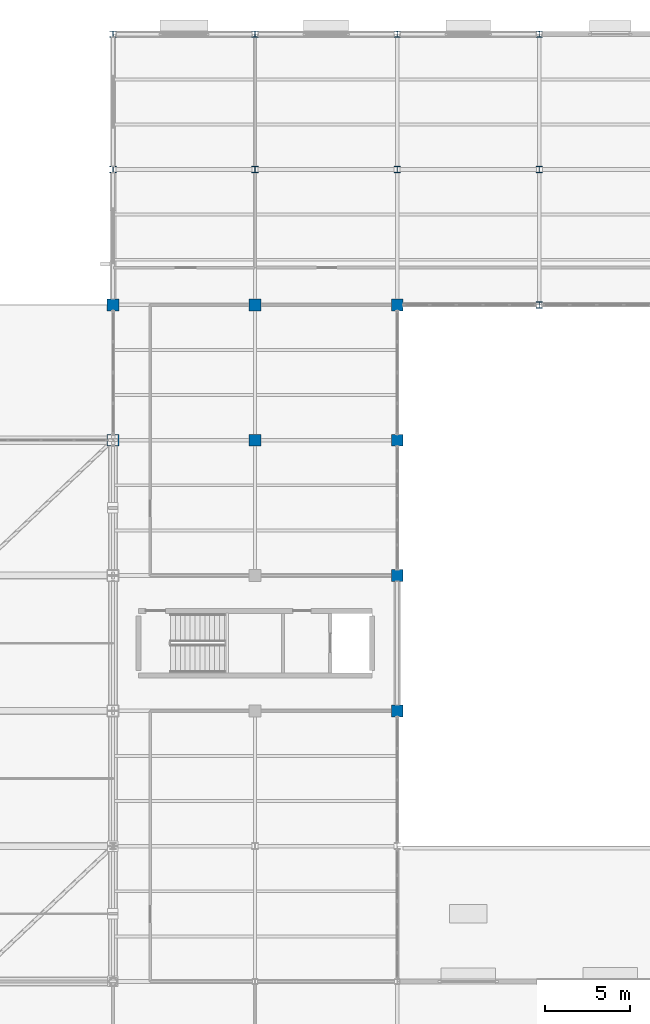
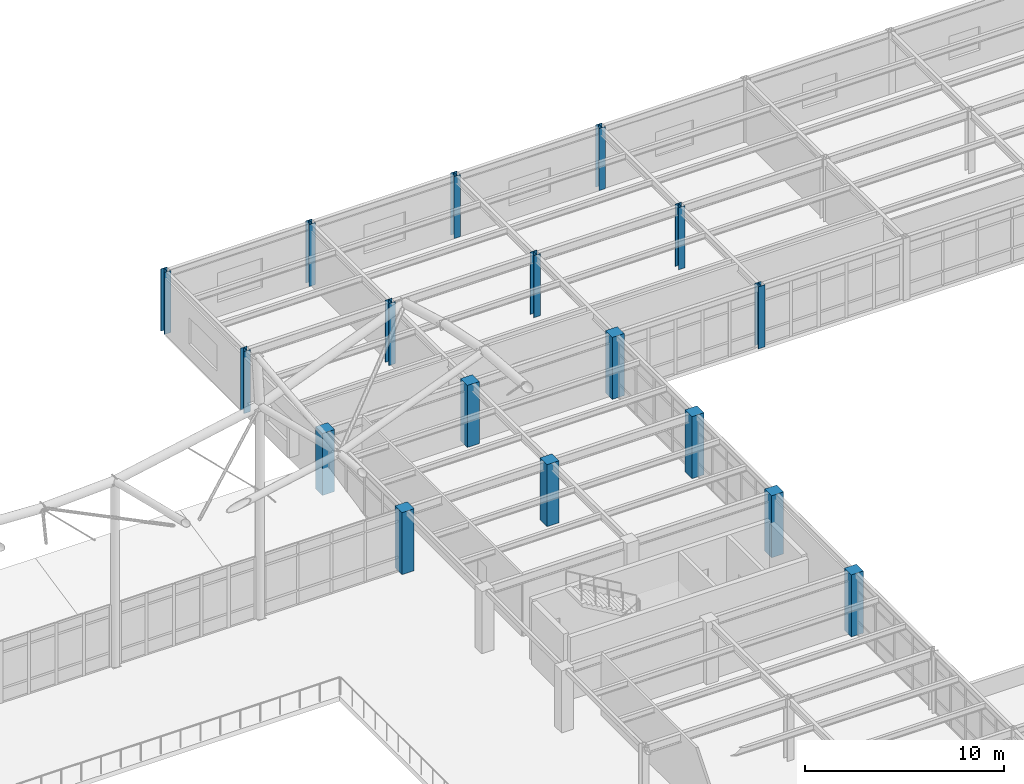
# One storey, part 14 of 138: 17 columns.
"""IFC4 building model written with IfcOpenShell, lengths in metres."""

from ifc_helpers import new_model, si_unit, direction, frame, origin, origin_2d, place, context, subcontext, project, spatial, rectangle, i_section, extrude, material, material_profile, profile_set, type_object, element, save


model = new_model("IFC4")

# Units and contexts
model_context = context("Model", 3, precision=1e-05, world=origin(), true_north=direction((0.0, 1.0)))
body_context = subcontext(model_context, "Body", "Model", "MODEL_VIEW")
ifc_project = project(units=[si_unit("LENGTHUNIT", "METRE"), si_unit("AREAUNIT", "SQUARE_METRE"), si_unit("VOLUMEUNIT", "CUBIC_METRE"), si_unit("PLANEANGLEUNIT", "RADIAN"), si_unit("MASSUNIT", "GRAM", prefix="KILO")], contexts=[model_context])

# Site, building, storey
site_placement = place(None, origin())
site = spatial("IfcSite", under=ifc_project, at=site_placement, CompositionType="ELEMENT")
building_placement = place(site_placement, origin())
building = spatial("IfcBuilding", under=site, at=building_placement, Name="Kranzveld Transit Interchange", CompositionType="ELEMENT")
storey_placement = place(building_placement, frame((0.0, 0.0, 5.43994140625)))
storey = spatial("IfcBuildingStorey", under=building, at=storey_placement, Name="L01", CompositionType="ELEMENT", Elevation=5.43994140625)

# Columns
ifc_material_1 = material(Name="Concrete C35/45", Category="concrete")
ifc_material_profile_1 = material_profile(ifc_material_1, rectangle(XDim=0.699951171875, YDim=0.699951171875, at=origin_2d()), Name="RC 700x700")
ifc_profile_set_1 = profile_set([ifc_material_profile_1], Name="Concrete C35/45")
column_type_1 = type_object("IfcColumnType", Name="Column RC 700x700 C35/45", PredefinedType="COLUMN", material=ifc_profile_set_1)
for number, where, z_axis, x_axis, name in (
    (1, (100.800048828125, 88.0, 0.0), (0.0, 0.0, 1.0), (1.0, 0.0, 0.0), "L01 Column 13/M"),
    (2, (100.800048828125, 96.0, 0.0), (0.0, 0.0, 1.0), (1.0, 0.0, 0.0), "L01 Column 13/N"),
    (3, (109.199951171875, 88.0, 0.0), (0.0, 0.0, 1.0), (1.0, 0.0, 0.0), "L01 Column 14/M"),
    (4, (109.199951171875, 96.0, 0.0), (0.0, 0.0, 1.0), (1.0, 0.0, 0.0), "L01 Column 14/N"),
    (5, (117.60009765625, 72.0, 0.0), (0.0, 0.0, 1.0), (1.0, 0.0, 0.0), "L01 Column 15/K"),
    (6, (117.60009765625, 80.0, 0.0), (0.0, 0.0, 1.0), (1.0, 0.0, 0.0), "L01 Column 15/L"),
    (7, (117.60009765625, 88.0, 0.0), (0.0, 0.0, 1.0), (1.0, 0.0, 0.0), "L01 Column 15/M"),
    (8, (117.60009765625, 96.0, 0.0), (0.0, 0.0, 1.0), (1.0, 0.0, 0.0), "L01 Column 15/N"),
):
    element("IfcColumn", number, at=place(storey_placement, frame(where, z_axis=z_axis, x_axis=x_axis)), inside=storey, type_object=column_type_1, Name=name, PredefinedType="COLUMN", context=body_context, shape_type="SweptSolid", body=[
        extrude(rectangle(XDim=0.699951171875, YDim=0.699951171875, at=origin_2d()), origin(), (0.0, 0.0, 1.0), 3.800048828125),
    ])
ifc_material_2 = material(Name="Steel S355JR", Category="steel")
ifc_material_profile_2 = material_profile(ifc_material_2, i_section(OverallWidth=0.374755859375, OverallDepth=0.37451171875, WebThickness=0.0166015625, FlangeThickness=0.027099609375, FilletRadius=0.01513671875, at=origin_2d()), Name="UC 356x368x202")
ifc_profile_set_2 = profile_set([ifc_material_profile_2], Name="Steel S355JR")
column_type_2 = type_object("IfcColumnType", Name="Column Steel UC 356x368x202 S355JR", PredefinedType="COLUMN", material=ifc_profile_set_2)
for number, where, z_axis, x_axis, name in (
    (9, (100.800048828125, 104.0, 0.0), (0.0, 0.0, 1.0), (1.0, 0.0, 0.0), "L01 Column 13/P"),
    (10, (100.800048828125, 112.0, 0.0), (0.0, 0.0, 1.0), (1.0, 0.0, 0.0), "L01 Column 13/Q"),
    (11, (109.199951171875, 104.0, 0.0), (0.0, 0.0, 1.0), (1.0, 0.0, 0.0), "L01 Column 14/P"),
    (12, (109.199951171875, 112.0, 0.0), (0.0, 0.0, 1.0), (1.0, 0.0, 0.0), "L01 Column 14/Q"),
    (13, (117.60009765625, 104.0, 0.0), (0.0, 0.0, 1.0), (1.0, 0.0, 0.0), "L01 Column 15/P"),
    (14, (117.60009765625, 112.0, 0.0), (0.0, 0.0, 1.0), (1.0, 0.0, 0.0), "L01 Column 15/Q"),
    (15, (126.0, 96.0, 0.0), (0.0, 0.0, 1.0), (1.0, 0.0, 0.0), "L01 Column 16/N"),
    (16, (126.0, 104.0, 0.0), (0.0, 0.0, 1.0), (1.0, 0.0, 0.0), "L01 Column 16/P"),
    (17, (126.0, 112.0, 0.0), (0.0, 0.0, 1.0), (1.0, 0.0, 0.0), "L01 Column 16/Q"),
):
    element("IfcColumn", number, at=place(storey_placement, frame(where, z_axis=z_axis, x_axis=x_axis)), inside=storey, type_object=column_type_2, Name=name, PredefinedType="COLUMN", context=body_context, shape_type="SweptSolid", body=[
        extrude(i_section(OverallWidth=0.374755859375, OverallDepth=0.37451171875, WebThickness=0.0166015625, FlangeThickness=0.027099609375, FilletRadius=0.01513671875, at=origin_2d()), origin(), (0.0, 0.0, 1.0), 3.800048828125),
    ])

save(model, "model.ifc")
